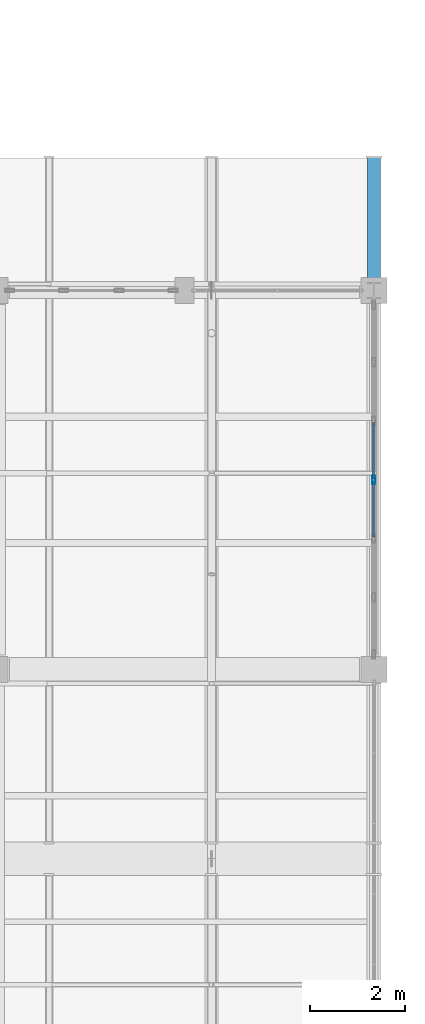
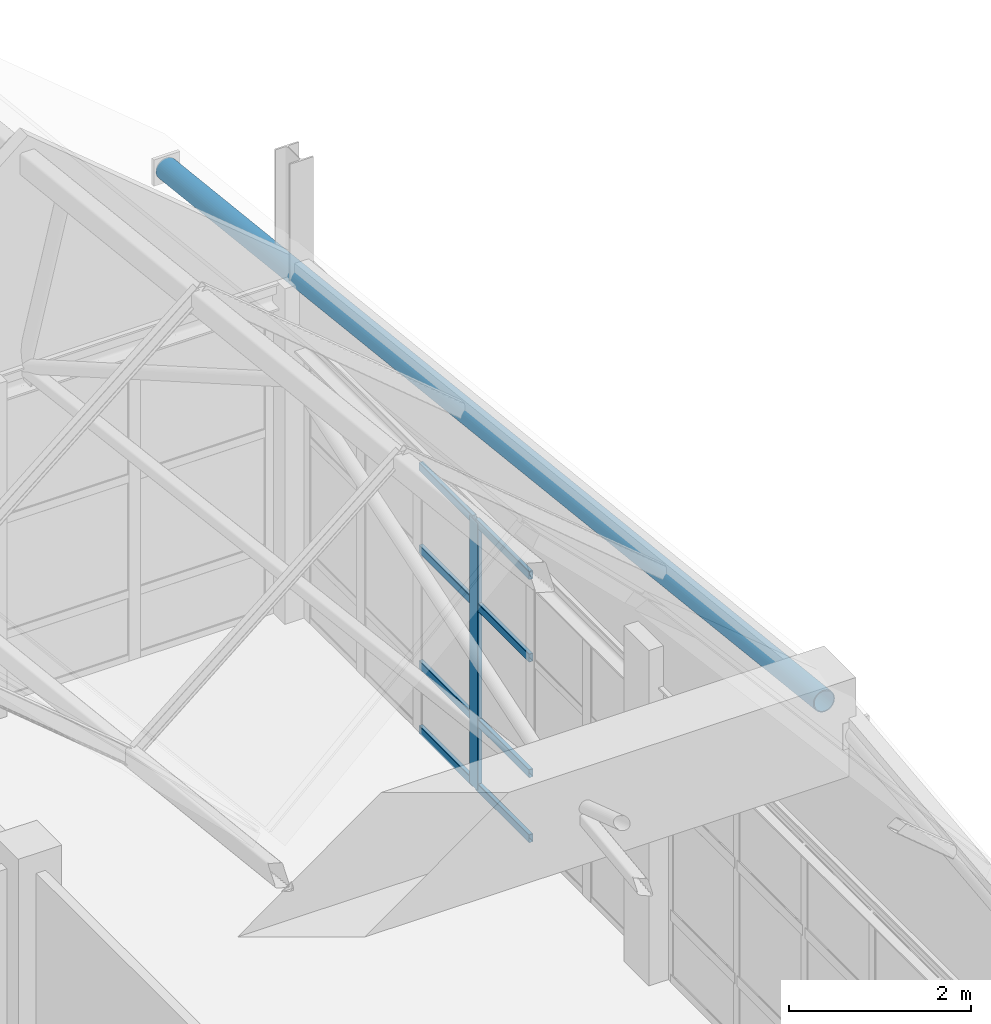
# One storey, part 90 of 183: 9 members, 1 beam, 1 element without a shape of its own.
"""IFC4 building model written with IfcOpenShell, lengths in metres."""

import ifcopenshell
import ifcopenshell.guid

model = None  # the IFC model being written
_history = None  # IfcOwnerHistory: only IFC2X3 demands one
_inside = {}  # id of a spatial element -> (the spatial element, [elements in it])
_under = {}  # id of a project, library or spatial element -> (it, [spatial elements below it])
_declared = {}  # id of a project -> (the project, [libraries it declares])
_typed = {}  # id of a type object -> (the type object, [elements of that type])
_made_of = {}  # id of a material, layer set ... -> (it, [elements and type objects made of it])


def new_model(schema):
    """Start an empty IFC model of exactly this schema.

    Asked for "IFC4X3", IfcOpenShell would pick the latest addendum, in which some entities
    have other attributes; the version numbers below select the first issue.
    IFC2X3 requires an IfcOwnerHistory on every rooted entity: one is made here for all.
    """
    global model, _history
    if schema == "IFC4X3":
        model = ifcopenshell.file(schema_version=(4, 3, 0, 0))
    else:
        model = ifcopenshell.file(schema=schema)
    _inside.clear()
    _under.clear()
    _declared.clear()
    _typed.clear()
    _made_of.clear()
    _history = None
    if model.schema == "IFC2X3":
        org = make("IfcOrganization", Name="unknown")
        user = make(
            "IfcPersonAndOrganization",
            ThePerson=make("IfcPerson", FamilyName="unknown"),
            TheOrganization=org,
        )
        app = make(
            "IfcApplication",
            ApplicationDeveloper=org,
            Version="unknown",
            ApplicationFullName="unknown",
            ApplicationIdentifier="unknown",
        )
        _history = make(
            "IfcOwnerHistory",
            OwningUser=user,
            OwningApplication=app,
            ChangeAction="ADDED",
            CreationDate=0,
        )
    return model


def make(cls, **values):
    """One entity of the class cls with the attributes given. An attribute that is None is left unset."""
    return model.create_entity(
        cls, **{name: value for name, value in values.items() if value is not None}
    )


def rooted(cls, **values):
    """An entity with a GlobalId (a new one), such as an element, a storey or a relation."""
    return make(cls, GlobalId=ifcopenshell.guid.new(), OwnerHistory=_history, **values)


def si_unit(unit_type, name, prefix=None):
    """IfcSIUnit, for example si_unit("LENGTHUNIT", "METRE", prefix="MILLI")."""
    return make("IfcSIUnit", UnitType=unit_type, Prefix=prefix, Name=name)


def assignment(units):
    """IfcUnitAssignment: the units of a project."""
    return None if units is None else make("IfcUnitAssignment", Units=units)


def point(xyz):
    """IfcCartesianPoint."""
    return None if xyz is None else make("IfcCartesianPoint", Coordinates=xyz)


def direction(xyz):
    """IfcDirection."""
    return None if xyz is None else make("IfcDirection", DirectionRatios=xyz)


def frame(location, z_axis=None, x_axis=None):
    """IfcAxis2Placement3D, a coordinate frame: its origin and axes. An axis left out is left unset."""
    return make(
        "IfcAxis2Placement3D",
        Location=point(location),
        Axis=direction(z_axis),
        RefDirection=direction(x_axis),
    )


def frame_2d(location, x_axis=None):
    """IfcAxis2Placement2D, a coordinate frame in the plane: its origin and x axis."""
    return make(
        "IfcAxis2Placement2D", Location=point(location), RefDirection=direction(x_axis)
    )


def origin():
    """The frame at (0, 0, 0) with its axes left unset."""
    return frame((0.0, 0.0, 0.0))


def origin_2d():
    """The frame at (0, 0) in the plane with its x axis left unset."""
    return frame_2d((0.0, 0.0))


def place(relative_to, where):
    """IfcLocalPlacement: puts the frame where relative to a parent placement (None: the world)."""
    return make(
        "IfcLocalPlacement", PlacementRelTo=relative_to, RelativePlacement=where
    )


def context(
    kind, dimensions, precision=None, world=None, true_north=None, identifier=None
):
    """IfcGeometricRepresentationContext, for example the 3D "Model" context."""
    return make(
        "IfcGeometricRepresentationContext",
        ContextIdentifier=identifier,
        ContextType=kind,
        CoordinateSpaceDimension=dimensions,
        Precision=precision,
        WorldCoordinateSystem=world,
        TrueNorth=true_north,
    )


def subcontext(parent, identifier, kind, view, scale=None):
    """IfcGeometricRepresentationSubContext, for example "Body" below "Model"."""
    return make(
        "IfcGeometricRepresentationSubContext",
        ContextIdentifier=identifier,
        ContextType=kind,
        ParentContext=parent,
        TargetScale=scale,
        TargetView=view,
    )


def project(units=None, contexts=None):
    """IfcProject with its units and contexts."""
    return rooted(
        "IfcProject",
        Name="project",
        RepresentationContexts=contexts,
        UnitsInContext=assignment(units),
    )


def spatial(cls, under=None, at=None, **own):
    """A site, building, storey or space (cls), placed at a placement, below another one or the project."""
    s = rooted(cls, ObjectPlacement=at, **own)
    if under is not None:
        _under.setdefault(under.id(), (under, []))[1].append(s)
    return s


def profile(cls, at=None, kind="AREA", **sizes):
    """A parametric profile (cls). Its sizes go by their IFC names, for example OverallWidth=200.0."""
    return make(cls, ProfileType=kind, Position=at, **sizes)


def hollow_rectangle(**sizes):
    """IfcRectangleHollowProfileDef."""
    return profile("IfcRectangleHollowProfileDef", **sizes)


def hollow_circle(**sizes):
    """IfcCircleHollowProfileDef."""
    return profile("IfcCircleHollowProfileDef", **sizes)


def extrude(swept, where, along, depth):
    """IfcExtrudedAreaSolid: the profile swept, set in the frame where, extruded along a direction by depth."""
    return make(
        "IfcExtrudedAreaSolid",
        SweptArea=swept,
        Position=where,
        ExtrudedDirection=direction(along),
        Depth=depth,
    )


def shape(context_of_items, identifier, shape_type, items):
    """IfcShapeRepresentation: the items that make up one representation, for example the "Body"."""
    return make(
        "IfcShapeRepresentation",
        ContextOfItems=context_of_items,
        RepresentationIdentifier=identifier,
        RepresentationType=shape_type,
        Items=items,
    )


def material(Name=None, Category=None):
    """IfcMaterial."""
    return make("IfcMaterial", Name=Name, Category=Category)


def material_profile(
    of_material, cross_section, Name=None, Category=None, Priority=None
):
    """IfcMaterialProfile: a cross section and its material."""
    return make(
        "IfcMaterialProfile",
        Name=Name,
        Material=of_material,
        Profile=cross_section,
        Priority=Priority,
        Category=Category,
    )


def profile_set(profiles, Name=None, composite=None):
    """IfcMaterialProfileSet."""
    return make(
        "IfcMaterialProfileSet",
        Name=Name,
        MaterialProfiles=profiles,
        CompositeProfile=composite,
    )


def made_of(thing, what):
    """Note that an element or type object is made of a material, layer set ...; save() writes the relation."""
    if what is not None:
        _made_of.setdefault(what.id(), (what, []))[1].append(thing)
    return thing


def type_object(cls, material=None, **own):
    """A type object (cls), such as IfcWallType, which elements share."""
    return made_of(rooted(cls, **own), material)


def element(
    cls,
    number,
    at=None,
    inside=None,
    cuts=None,
    type_object=None,
    material=None,
    context=None,
    identifier="Body",
    shape_type=None,
    held_by="IfcProductDefinitionShape",
    body=None,
    shapes=None,
    **own,
):
    """One element of the class cls, such as IfcWall. Its Tag is "e" and its number.

    at: its placement. inside: the storey or other place that contains it. cuts: it is an
    opening in that element (IfcRelVoidsElement). A single representation is given by context,
    identifier, shape_type and body (its items); several are given by shapes. held_by: the class
    of the entity that holds the representations. save() writes the other relations.
    """
    e = rooted(cls, Tag="e%d" % number, ObjectPlacement=at, **own)
    if body is not None:
        shapes = [shape(context, identifier, shape_type, body)]
    if shapes is not None:
        e.Representation = make(held_by, Representations=shapes)
    if inside is not None:
        _inside.setdefault(inside.id(), (inside, []))[1].append(e)
    if cuts is not None:
        rooted(
            "IfcRelVoidsElement", RelatingBuildingElement=cuts, RelatedOpeningElement=e
        )
    if type_object is not None:
        _typed.setdefault(type_object.id(), (type_object, []))[1].append(e)
    return made_of(e, material)


def aggregate(whole, parts):
    """IfcRelAggregates: a whole, such as a stair, and the parts it consists of."""
    return rooted("IfcRelAggregates", RelatingObject=whole, RelatedObjects=parts)


def save(model, path):
    """Write the relations noted so far, then the file.

    IfcRelAggregates (storeys below a building ...), IfcRelContainedInSpatialStructure (elements
    in a storey), IfcRelDefinesByType, IfcRelAssociatesMaterial and IfcRelDeclares: one each for
    every whole, place, type object, material and project.
    """
    for whole, parts in _under.values():
        aggregate(whole, parts)
    for where, things in _inside.values():
        rooted(
            "IfcRelContainedInSpatialStructure",
            RelatedElements=things,
            RelatingStructure=where,
        )
    for kind, things in _typed.values():
        rooted("IfcRelDefinesByType", RelatedObjects=things, RelatingType=kind)
    for what, things in _made_of.values():
        rooted("IfcRelAssociatesMaterial", RelatedObjects=things, RelatingMaterial=what)
    for by, libraries in _declared.values():
        rooted("IfcRelDeclares", RelatingContext=by, RelatedDefinitions=libraries)
    model.write(path)


model = new_model("IFC4")

# Units and contexts
model_context = context("Model", 3, precision=1e-05, world=origin(), true_north=direction((0.0, 1.0)))
body_context = subcontext(model_context, "Body", "Model", "MODEL_VIEW")
ifc_project = project(units=[si_unit("LENGTHUNIT", "METRE"), si_unit("AREAUNIT", "SQUARE_METRE"), si_unit("VOLUMEUNIT", "CUBIC_METRE"), si_unit("PLANEANGLEUNIT", "RADIAN"), si_unit("MASSUNIT", "GRAM", prefix="KILO")], contexts=[model_context])

# Site, building, storey
site_placement = place(None, origin())
site = spatial("IfcSite", under=ifc_project, at=site_placement, CompositionType="ELEMENT")
building_placement = place(site_placement, origin())
building = spatial("IfcBuilding", under=site, at=building_placement, Name="Luwemba Playhouse", CompositionType="ELEMENT")
storey_placement = place(building_placement, frame((0.0, 0.0, 4.800048828125)))
storey = spatial("IfcBuildingStorey", under=building, at=storey_placement, Name="L01", CompositionType="ELEMENT", Elevation=4.800048828125)

# Beam
ifc_material_1 = material(Name="Steel S355", Category="steel")
ifc_material_profile_1 = material_profile(ifc_material_1, hollow_circle(Radius=0.136474609375, WallThickness=0.012451171875, at=origin_2d()))
ifc_profile_set_1 = profile_set([ifc_material_profile_1], Name="Steel S355")
beam_type = type_object("IfcBeamType", Name="BM-RTG3", PredefinedType="USERDEFINED", material=ifc_profile_set_1)
beam_placement = place(storey_placement, frame((172.0, 15.35009765625, 5.773193359375), z_axis=(0.0, 0.993786292845, -0.111305005073), x_axis=(-1.0, 0.0, 0.0)))
element("IfcBeam", 1, at=beam_placement, inside=storey, type_object=beam_type, Name="ROOF TRUSS valley girder 0341", ObjectType="ROOF TRUSS", PredefinedType="USERDEFINED", context=body_context, shape_type="SweptSolid", body=[
    extrude(hollow_circle(Radius=0.136474609375, WallThickness=0.012451171875, at=origin_2d()), origin(), (0.0, 0.0, 1.0), 14.540283203125),
])

# Curtain wall, members
ifc_material_2 = material(Name="Solar-control double glazing", Category="glass")
curtain_wall_type = type_object("IfcCurtainWallType", Name="CW-CW129", PredefinedType="USERDEFINED", material=ifc_material_2)
curtain_wall_placement = place(storey_placement, origin())
curtain_wall = element("IfcCurtainWall", 2, at=curtain_wall_placement, inside=storey, type_object=curtain_wall_type, Name="L01 V5E unitised curtain wall 167", ObjectType="UNITISED GLAZING", PredefinedType="USERDEFINED")
ifc_material_3 = material(Name="Aluminium 6063-T6", Category="aluminium")
ifc_material_profile_2 = material_profile(ifc_material_3, hollow_rectangle(XDim=0.06494140625, YDim=0.179931640625, WallThickness=0.00439453125, InnerFilletRadius=0.0068359375, OuterFilletRadius=0.01123046875, at=origin_2d()))
ifc_profile_set_2 = profile_set([ifc_material_profile_2], Name="Aluminium 6063-T6")
member_type_1 = type_object("IfcMemberType", Name="CWM-M2", PredefinedType="MULLION", material=ifc_profile_set_2)
member_1_placement = place(storey_placement, frame((172.0, 23.0, 0.0), z_axis=(0.0, 0.0, 1.0), x_axis=(1.0, 0.0, 0.0)))
member_1 = element("IfcMember", 3, at=member_1_placement, type_object=member_type_1, Name="CW129 mullion 4", PredefinedType="MULLION", context=body_context, shape_type="SweptSolid", body=[
    extrude(hollow_rectangle(XDim=0.06494140625, YDim=0.179931640625, WallThickness=0.00439453125, InnerFilletRadius=0.0068359375, OuterFilletRadius=0.01123046875, at=origin_2d()), origin(), (0.0, 0.0, 1.0), 3.5849609375),
])
ifc_material_profile_3 = material_profile(ifc_material_3, hollow_rectangle(XDim=0.054931640625, YDim=0.110107421875, WallThickness=0.00341796875, InnerFilletRadius=0.00537109375, OuterFilletRadius=0.0087890625, at=origin_2d()))
ifc_profile_set_3 = profile_set([ifc_material_profile_3], Name="Aluminium 6063-T6")
member_type_2 = type_object("IfcMemberType", Name="CWT-T2", PredefinedType="USERDEFINED", material=ifc_profile_set_3)
member_2_placement = place(storey_placement, frame((172.0, 24.209228515625, 0.02734375), z_axis=(0.0, -1.0, 0.0), x_axis=(1.0, 0.0, 0.0)))
member_2 = element("IfcMember", 4, at=member_2_placement, type_object=member_type_2, Name="CW129 transom 3.1", ObjectType="TRANSOM", PredefinedType="USERDEFINED", context=body_context, shape_type="SweptSolid", body=[
    extrude(hollow_rectangle(XDim=0.054931640625, YDim=0.110107421875, WallThickness=0.00341796875, InnerFilletRadius=0.00537109375, OuterFilletRadius=0.0087890625, at=origin_2d()), origin(), (0.0, 0.0, 1.0), 1.1767578125),
])
member_3_placement = place(storey_placement, frame((172.0, 24.209228515625, 0.89990234375), z_axis=(0.0, -1.0, 0.0), x_axis=(1.0, 0.0, 0.0)))
member_3 = element("IfcMember", 5, at=member_3_placement, type_object=member_type_2, Name="CW129 transom 3.2", ObjectType="TRANSOM", PredefinedType="USERDEFINED", context=body_context, shape_type="SweptSolid", body=[
    extrude(hollow_rectangle(XDim=0.054931640625, YDim=0.110107421875, WallThickness=0.00341796875, InnerFilletRadius=0.00537109375, OuterFilletRadius=0.0087890625, at=origin_2d()), origin(), (0.0, 0.0, 1.0), 1.1767578125),
])
member_4_placement = place(storey_placement, frame((172.0, 24.209228515625, 2.449951171875), z_axis=(0.0, -1.0, 0.0), x_axis=(1.0, 0.0, 0.0)))
member_4 = element("IfcMember", 6, at=member_4_placement, type_object=member_type_2, Name="CW129 transom 3.3", ObjectType="TRANSOM", PredefinedType="USERDEFINED", context=body_context, shape_type="SweptSolid", body=[
    extrude(hollow_rectangle(XDim=0.054931640625, YDim=0.110107421875, WallThickness=0.00341796875, InnerFilletRadius=0.00537109375, OuterFilletRadius=0.0087890625, at=origin_2d()), origin(), (0.0, 0.0, 1.0), 1.1767578125),
])
member_5_placement = place(storey_placement, frame((172.0, 24.209228515625, 3.557373046875), z_axis=(0.0, -1.0, 0.0), x_axis=(1.0, 0.0, 0.0)))
member_5 = element("IfcMember", 7, at=member_5_placement, type_object=member_type_2, Name="CW129 transom 3.4", ObjectType="TRANSOM", PredefinedType="USERDEFINED", context=body_context, shape_type="SweptSolid", body=[
    extrude(hollow_rectangle(XDim=0.054931640625, YDim=0.110107421875, WallThickness=0.00341796875, InnerFilletRadius=0.00537109375, OuterFilletRadius=0.0087890625, at=origin_2d()), origin(), (0.0, 0.0, 1.0), 1.1767578125),
])
member_6_placement = place(storey_placement, frame((172.0, 22.967529296875, 0.02734375), z_axis=(0.0, -1.0, 0.0), x_axis=(1.0, 0.0, 0.0)))
member_6 = element("IfcMember", 8, at=member_6_placement, type_object=member_type_2, Name="CW129 transom 4.1", ObjectType="TRANSOM", PredefinedType="USERDEFINED", context=body_context, shape_type="SweptSolid", body=[
    extrude(hollow_rectangle(XDim=0.054931640625, YDim=0.110107421875, WallThickness=0.00341796875, InnerFilletRadius=0.00537109375, OuterFilletRadius=0.0087890625, at=origin_2d()), origin(), (0.0, 0.0, 1.0), 1.1767578125),
])
member_7_placement = place(storey_placement, frame((172.0, 22.967529296875, 0.89990234375), z_axis=(0.0, -1.0, 0.0), x_axis=(1.0, 0.0, 0.0)))
member_7 = element("IfcMember", 9, at=member_7_placement, type_object=member_type_2, Name="CW129 transom 4.2", ObjectType="TRANSOM", PredefinedType="USERDEFINED", context=body_context, shape_type="SweptSolid", body=[
    extrude(hollow_rectangle(XDim=0.054931640625, YDim=0.110107421875, WallThickness=0.00341796875, InnerFilletRadius=0.00537109375, OuterFilletRadius=0.0087890625, at=origin_2d()), origin(), (0.0, 0.0, 1.0), 1.1767578125),
])
member_8_placement = place(storey_placement, frame((172.0, 22.967529296875, 2.449951171875), z_axis=(0.0, -1.0, 0.0), x_axis=(1.0, 0.0, 0.0)))
member_8 = element("IfcMember", 10, at=member_8_placement, type_object=member_type_2, Name="CW129 transom 4.3", ObjectType="TRANSOM", PredefinedType="USERDEFINED", context=body_context, shape_type="SweptSolid", body=[
    extrude(hollow_rectangle(XDim=0.054931640625, YDim=0.110107421875, WallThickness=0.00341796875, InnerFilletRadius=0.00537109375, OuterFilletRadius=0.0087890625, at=origin_2d()), origin(), (0.0, 0.0, 1.0), 1.1767578125),
])
member_9_placement = place(storey_placement, frame((172.0, 22.967529296875, 3.557373046875), z_axis=(0.0, -1.0, 0.0), x_axis=(1.0, 0.0, 0.0)))
member_9 = element("IfcMember", 11, at=member_9_placement, type_object=member_type_2, Name="CW129 transom 4.4", ObjectType="TRANSOM", PredefinedType="USERDEFINED", context=body_context, shape_type="SweptSolid", body=[
    extrude(hollow_rectangle(XDim=0.054931640625, YDim=0.110107421875, WallThickness=0.00341796875, InnerFilletRadius=0.00537109375, OuterFilletRadius=0.0087890625, at=origin_2d()), origin(), (0.0, 0.0, 1.0), 1.1767578125),
])
aggregate(curtain_wall, [member_1, member_2, member_3, member_4, member_5, member_6, member_7, member_8, member_9])

save(model, "model.ifc")
